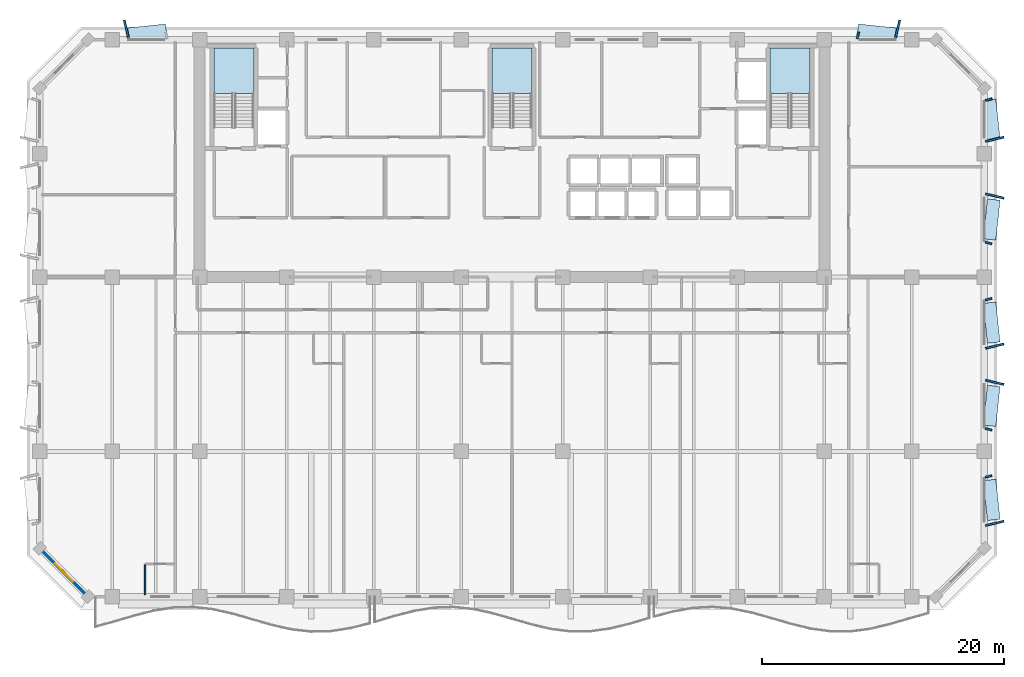
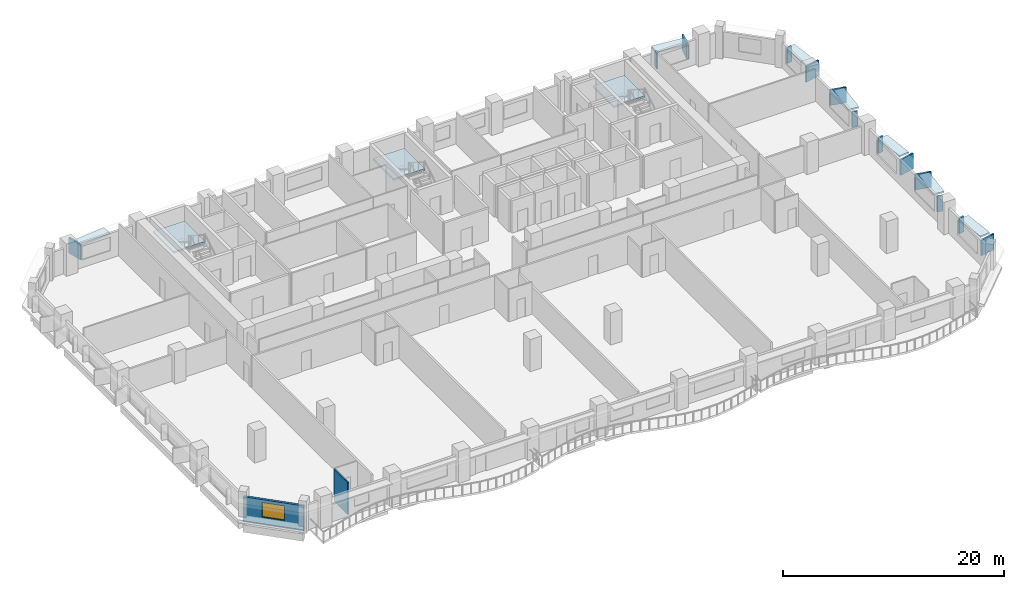
# One storey, part 3 of 14: 20 plates, 3 slabs, 2 walls, 1 window, 1 opening, 3 elements without a shape of their own.
"""IFC4 building model written with IfcOpenShell, lengths in metres."""

from ifc_helpers import new_model, si_unit, direction, frame, frame_2d, origin, origin_2d, place, context, subcontext, project, spatial, polyline, rectangle, outline, extrude, material, layer, layer_set, type_object, element, fill, aggregate, save


model = new_model("IFC4")

# Units and contexts
model_context = context("Model", 3, precision=1e-05, world=origin(), true_north=direction((0.0, 1.0)))
body_context = subcontext(model_context, "Body", "Model", "MODEL_VIEW")
ifc_project = project(units=[si_unit("LENGTHUNIT", "METRE"), si_unit("AREAUNIT", "SQUARE_METRE"), si_unit("VOLUMEUNIT", "CUBIC_METRE"), si_unit("PLANEANGLEUNIT", "RADIAN"), si_unit("MASSUNIT", "GRAM", prefix="KILO")], contexts=[model_context])

# Site, building, storey
site_placement = place(None, origin())
site = spatial("IfcSite", under=ifc_project, at=site_placement, CompositionType="ELEMENT")
building_placement = place(site_placement, origin())
building = spatial("IfcBuilding", under=site, at=building_placement, Name="Kaelvorn Grand Hotel", CompositionType="ELEMENT")
storey_placement = place(building_placement, frame((0.0, 0.0, 216.75)))
storey = spatial("IfcBuildingStorey", under=building, at=storey_placement, Name="L53", CompositionType="ELEMENT", Elevation=216.75)

# Plates
ifc_material_1 = material(Name="Precast concrete C45/55", Category="concrete")
ifc_layer_1 = layer(ifc_material_1, 0.159912109375)
ifc_layer_set_1 = layer_set([ifc_layer_1], Name="Precast concrete C45/55")
plate_type_1 = type_object("IfcPlateType", Name="PL-FRAME-DEEP-1550", PredefinedType="USERDEFINED", material=ifc_layer_set_1)
for number, where, z_axis, x_axis, name in (
    (1, (81.85498046875, 9.06005859375, 0.81494140625), (0.0, 0.0, 1.0), (-0.233445363856, 0.972369920398, 0.0), "L53 Tilted Precast Window Frame Fin L-E01"),
    (2, (81.85498046875, 20.705078125, 0.81494140625), (0.0, 0.0, 1.0), (0.233445363856, 0.972369920398, 0.0), "L53 Tilted Precast Window Frame Fin R-E02"),
    (3, (81.85498046875, 23.695068359375, 0.81494140625), (0.0, 0.0, 1.0), (-0.233445363856, 0.972369920398, 0.0), "L53 Tilted Precast Window Frame Fin L-E03"),
    (4, (81.85498046875, 36.090087890625, 0.81494140625), (0.0, 0.0, 1.0), (0.233445363856, 0.972369920398, 0.0), "L53 Tilted Precast Window Frame Fin R-E04"),
    (5, (81.85498046875, 40.77490234375, 0.740234375), (0.0, 0.0, 1.0), (-0.233445363856, 0.972369920398, 0.0), "L53 Tilted Precast Window Frame Fin L-E05"),
    (6, (10.159912109375, 49.85498046875, 0.740234375), (0.0, 0.0, 1.0), (0.972369920398, 0.233445363856, 0.0), "L53 Tilted Precast Window Frame Fin L-N01"),
    (7, (73.840087890625, 49.85498046875, 0.740234375), (0.0, 0.0, 1.0), (0.972369920398, -0.233445363856, 0.0), "L53 Tilted Precast Window Frame Fin R-N02"),
):
    element("IfcPlate", number, at=place(storey_placement, frame(where, z_axis=z_axis, x_axis=x_axis)), inside=storey, type_object=plate_type_1, Name=name, ObjectType="FLANGE_PLATE", PredefinedType="USERDEFINED", context=body_context, shape_type="SweptSolid", body=[
        extrude(rectangle(XDim=0.159912109375, YDim=1.550048828125, at=origin_2d()), origin(), (0.0, 0.0, 1.0), 1.719970703125),
    ])
ifc_layer_2 = layer(ifc_material_1, 0.159912109375)
ifc_layer_set_2 = layer_set([ifc_layer_2], Name="Precast concrete C45/55")
plate_type_2 = type_object("IfcPlateType", Name="PL-FRAME-HEAD-1050", PredefinedType="USERDEFINED", material=ifc_layer_set_2)
for number, where, z_axis, x_axis, name in (
    (8, (81.60498046875, 11.0, 2.5), (0.0, 0.0, 1.0), (-0.105830199459, 0.994384215926, 0.0), "L53 Precast Window Frame Head Hood H-E01"),
    (9, (81.60498046875, 18.764892578125, 2.5), (0.0, 0.0, 1.0), (0.105830199459, 0.994384215926, 0.0), "L53 Precast Window Frame Head Hood H-E02"),
    (10, (81.60498046875, 25.635009765625, 2.5), (0.0, 0.0, 1.0), (-0.105830199459, 0.994384215926, 0.0), "L53 Precast Window Frame Head Hood H-E03"),
    (11, (81.60498046875, 34.14990234375, 2.5), (0.0, 0.0, 1.0), (0.105830199459, 0.994384215926, 0.0), "L53 Precast Window Frame Head Hood H-E04"),
    (12, (81.60498046875, 42.4150390625, 2.35009765625), (0.0, 0.0, 1.0), (-0.105830199459, 0.994384215926, 0.0), "L53 Precast Window Frame Head Hood H-E05"),
    (13, (11.800048828125, 49.60498046875, 2.35009765625), (0.0, 0.0, 1.0), (0.994384215926, 0.105830199459, 0.0), "L53 Precast Window Frame Head Hood H-N01"),
    (14, (72.199951171875, 49.60498046875, 2.35009765625), (0.0, 0.0, 1.0), (0.994384215926, -0.105830199459, 0.0), "L53 Precast Window Frame Head Hood H-N02"),
):
    element("IfcPlate", number, at=place(storey_placement, frame(where, z_axis=z_axis, x_axis=x_axis)), inside=storey, type_object=plate_type_2, Name=name, ObjectType="FLANGE_PLATE", PredefinedType="USERDEFINED", context=body_context, shape_type="SweptSolid", body=[
        extrude(rectangle(XDim=3.320068359375, YDim=1.050048828125, at=origin_2d()), origin(), (0.0, 0.0, 1.0), 0.159912109375),
    ])
ifc_layer_3 = layer(ifc_material_1, 0.159912109375)
ifc_layer_set_3 = layer_set([ifc_layer_3], Name="Precast concrete C45/55")
plate_type_3 = type_object("IfcPlateType", Name="PL-FRAME-SHAL-550", PredefinedType="USERDEFINED", material=ifc_layer_set_3)
for number, where, z_axis, x_axis, name in (
    (15, (81.35498046875, 12.93994140625, 0.81494140625), (0.0, 0.0, 1.0), (-0.233445363856, 0.972369920398, 0.0), "L53 Tilted Precast Window Frame Fin R-E01"),
    (16, (81.35498046875, 16.824951171875, 0.81494140625), (0.0, 0.0, 1.0), (0.233445363856, 0.972369920398, 0.0), "L53 Tilted Precast Window Frame Fin L-E02"),
    (17, (81.35498046875, 27.574951171875, 0.81494140625), (0.0, 0.0, 1.0), (-0.233445363856, 0.972369920398, 0.0), "L53 Tilted Precast Window Frame Fin R-E03"),
    (18, (81.35498046875, 32.2099609375, 0.81494140625), (0.0, 0.0, 1.0), (0.233445363856, 0.972369920398, 0.0), "L53 Tilted Precast Window Frame Fin L-E04"),
    (19, (81.35498046875, 44.054931640625, 0.740234375), (0.0, 0.0, 1.0), (-0.233445363856, 0.972369920398, 0.0), "L53 Tilted Precast Window Frame Fin R-E05"),
    (20, (70.56005859375, 49.35498046875, 0.740234375), (0.0, 0.0, 1.0), (0.972369920398, -0.233445363856, 0.0), "L53 Tilted Precast Window Frame Fin L-N02"),
):
    element("IfcPlate", number, at=place(storey_placement, frame(where, z_axis=z_axis, x_axis=x_axis)), inside=storey, type_object=plate_type_3, Name=name, ObjectType="FLANGE_PLATE", PredefinedType="USERDEFINED", context=body_context, shape_type="SweptSolid", body=[
        extrude(rectangle(XDim=0.159912109375, YDim=0.550048828125, at=origin_2d()), origin(), (0.0, 0.0, 1.0), 1.719970703125),
    ])

# Stair, slab
ifc_material_2 = material(Name="Concrete C40/50", Category="concrete")
stair_type = type_object("IfcStairType", Name="STR-DOG-1560-R08", PredefinedType="HALF_TURN_STAIR", material=ifc_material_2)
stair_1_placement = place(storey_placement, origin())
stair_1 = element("IfcStair", 21, at=stair_1_placement, inside=storey, type_object=stair_type, Name="L53 West Core Exit Stair ST1", PredefinedType="HALF_TURN_STAIR")
ifc_layer_4 = layer(ifc_material_2, 0.199951171875)
ifc_layer_set_4 = layer_set([ifc_layer_4], Name="Concrete C40/50")
slab_type = type_object("IfcSlabType", Name="SLB-LAND-200-C40", PredefinedType="LANDING", material=ifc_layer_set_4)
slab_1_placement = place(storey_placement, frame((0.0, 0.0, 1.699951171875)))
slab_1 = element("IfcSlab", 22, at=slab_1_placement, type_object=slab_type, Name="ST1 landing 1", PredefinedType="LANDING", context=body_context, shape_type="SweptSolid", body=[
    extrude(outline(polyline([(20.679931640625, 44.56005859375), (20.679931640625, 48.300048828125), (17.39990234375, 48.300048828125), (17.39990234375, 44.56005859375), (20.679931640625, 44.56005859375)])), origin(), (0.0, 0.0, 1.0), 0.199951171875),
])
aggregate(stair_1, [slab_1])

stair_2_placement = place(storey_placement, origin())
stair_2 = element("IfcStair", 23, at=stair_2_placement, inside=storey, type_object=stair_type, Name="L53 Central Core Exit Stair ST2", PredefinedType="HALF_TURN_STAIR")
slab_2_placement = place(storey_placement, frame((0.0, 0.0, 1.699951171875)))
slab_2 = element("IfcSlab", 24, at=slab_2_placement, type_object=slab_type, Name="ST2 landing 1", PredefinedType="LANDING", context=body_context, shape_type="SweptSolid", body=[
    extrude(outline(polyline([(43.639892578125, 44.56005859375), (43.639892578125, 48.300048828125), (40.360107421875, 48.300048828125), (40.360107421875, 44.56005859375), (43.639892578125, 44.56005859375)])), origin(), (0.0, 0.0, 1.0), 0.199951171875),
])
aggregate(stair_2, [slab_2])

stair_3_placement = place(storey_placement, origin())
stair_3 = element("IfcStair", 25, at=stair_3_placement, inside=storey, type_object=stair_type, Name="L53 East Core Exit Stair ST3", PredefinedType="HALF_TURN_STAIR")
slab_3_placement = place(storey_placement, frame((0.0, 0.0, 1.699951171875)))
slab_3 = element("IfcSlab", 26, at=slab_3_placement, type_object=slab_type, Name="ST3 landing 1", PredefinedType="LANDING", context=body_context, shape_type="SweptSolid", body=[
    extrude(outline(polyline([(66.60009765625, 44.56005859375), (66.60009765625, 48.300048828125), (63.320068359375, 48.300048828125), (63.320068359375, 44.56005859375), (66.60009765625, 44.56005859375)])), origin(), (0.0, 0.0, 1.0), 0.199951171875),
])
aggregate(stair_3, [slab_3])

# Wall, opening, window
ifc_layer_5 = layer(ifc_material_2, 0.239990234375)
ifc_layer_set_5 = layer_set([ifc_layer_5], Name="Concrete C40/50")
wall_type_1 = type_object("IfcWallType", Name="WL-EXT-240-C40", PredefinedType="SOLIDWALL", material=ifc_layer_set_5)
wall_1_placement = place(storey_placement, frame((3.0, 7.0, 0.0), z_axis=(0.0, 0.0, 1.0), x_axis=(0.707106781187, -0.707106781187, 0.0)))
wall_1 = element("IfcWall", 27, at=wall_1_placement, inside=storey, type_object=wall_type_1, Name="L53 Exterior Architectural Concrete Wall 08", PredefinedType="SOLIDWALL", context=body_context, shape_type="SweptSolid", body=[
    extrude(rectangle(XDim=5.65673828125, YDim=0.239990234375, at=frame_2d((2.828369140625, 0.0))), origin(), (0.0, 0.0, 1.0), 2.760009765625),
])
opening_placement = place(wall_1_placement, frame((1.7783203125, 0.0, 0.85009765625)))
opening = element("IfcOpeningElement", 28, at=opening_placement, cuts=wall_1, Name="Opening W7", PredefinedType="OPENING", context=body_context, shape_type="SweptSolid", body=[
    extrude(rectangle(XDim=2.10009765625, YDim=1.60009765625, at=frame_2d((1.050048828125, 0.800048828125))), frame((0.0, 0.1298828125, 0.0), z_axis=(0.0, -1.0, 0.0), x_axis=(1.0, 0.0, 0.0)), (0.0, 0.0, 1.0), 0.260009765625),
])
ifc_material_3 = material(Name="Laminated Low-E Glass", Category="glass")
window_type = type_object("IfcWindowType", Name="WIN-CHM-2100x1600", PartitioningType="SINGLE_PANEL", PredefinedType="WINDOW", material=ifc_material_3)
window_placement = place(opening_placement, origin())
window = element("IfcWindow", 29, at=window_placement, inside=storey, type_object=window_type, Name="L53 Chamfered 45-Degree Corner Window SW", OverallHeight=1.60009765625, OverallWidth=2.10009765625, PartitioningType="SINGLE_PANEL", PredefinedType="WINDOW", context=body_context, shape_type="SweptSolid", body=[
    extrude(rectangle(XDim=2.10009765625, YDim=1.60009765625, at=frame_2d((1.050048828125, 0.800048828125))), frame((0.0, 0.030029296875, 0.0), z_axis=(0.0, -1.0, 0.0), x_axis=(1.0, 0.0, 0.0)), (0.0, 0.0, 1.0), 0.06005859375),
])
fill(opening, window)

# Wall
ifc_material_4 = material(Name="Moisture-Resistant Tile & Stud Board")
ifc_layer_6 = layer(ifc_material_4, 0.125)
ifc_layer_set_6 = layer_set([ifc_layer_6], Name="Moisture-Resistant Tile & Stud Board")
wall_type_2 = type_object("IfcWallType", Name="WL-PART-125-WET", PredefinedType="PARTITIONING", material=ifc_layer_set_6)
wall_2_placement = place(storey_placement, frame((11.699951171875, 3.14990234375, 0.0), z_axis=(0.0, 0.0, 1.0), x_axis=(0.0, 1.0, 0.0)))
element("IfcWall", 30, at=wall_2_placement, inside=storey, type_object=wall_type_2, Name="L53 En-suite Bathroom L53-05 W Partition", PredefinedType="PARTITIONING", context=body_context, shape_type="SweptSolid", body=[
    extrude(rectangle(XDim=2.482666015625, YDim=0.125, at=frame_2d((1.2412109375, 0.0))), origin(), (0.0, 0.0, 1.0), 3.56005859375),
])

save(model, "model.ifc")
